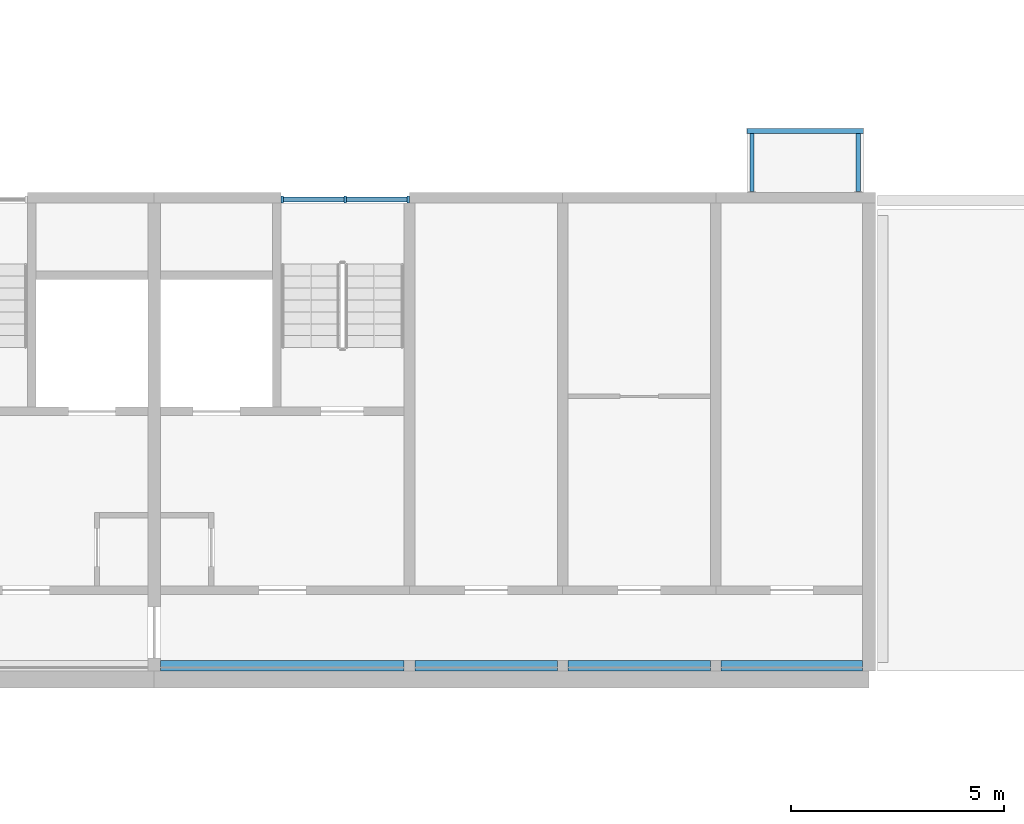
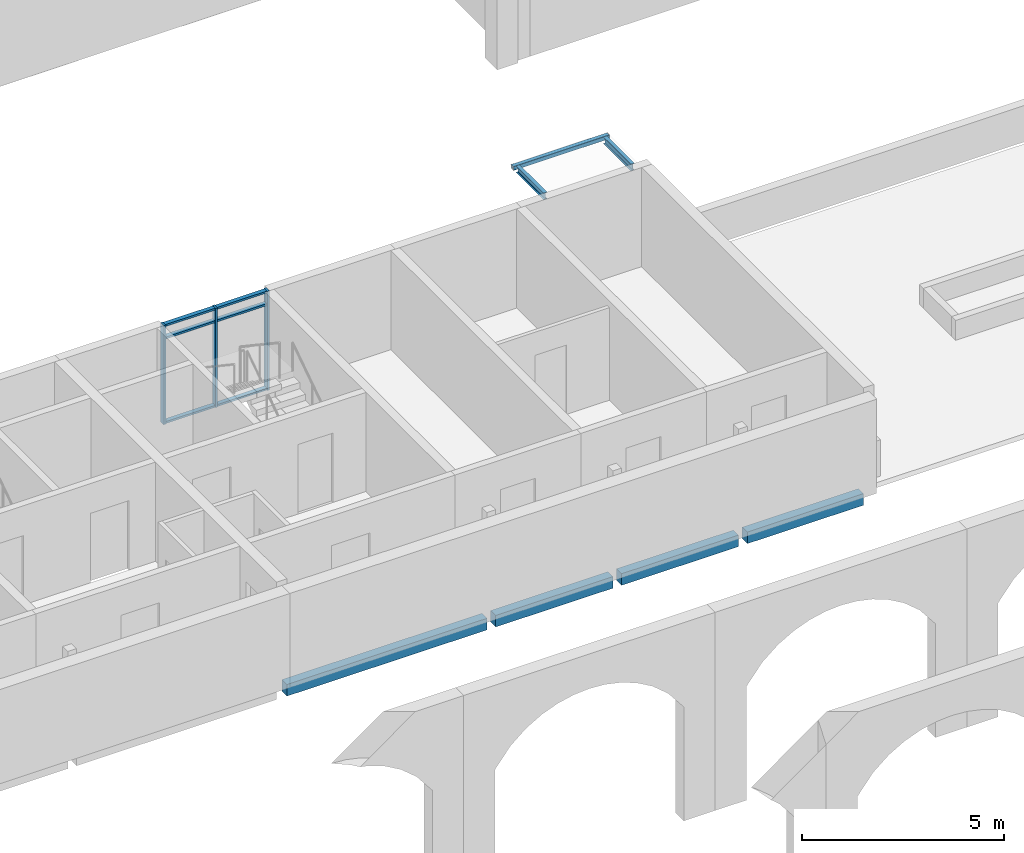
# One storey, part 14 of 122: 9 members, 7 beams, 1 element without a shape of its own.
"""IFC4 building model written with IfcOpenShell, lengths in metres."""

from ifc_helpers import new_model, si_unit, direction, frame, origin, origin_2d, place, context, subcontext, project, spatial, rectangle, hollow_rectangle, i_section, extrude, material, material_profile, profile_set, type_object, element, aggregate, save


model = new_model("IFC4")

# Units and contexts
model_context = context("Model", 3, precision=1e-05, world=origin(), true_north=direction((0.0, 1.0)))
body_context = subcontext(model_context, "Body", "Model", "MODEL_VIEW")
ifc_project = project(units=[si_unit("LENGTHUNIT", "METRE"), si_unit("AREAUNIT", "SQUARE_METRE"), si_unit("VOLUMEUNIT", "CUBIC_METRE"), si_unit("PLANEANGLEUNIT", "RADIAN"), si_unit("MASSUNIT", "GRAM", prefix="KILO")], contexts=[model_context])

# Site, building, storey
site_placement = place(None, origin())
site = spatial("IfcSite", under=ifc_project, at=site_placement, CompositionType="ELEMENT")
building_placement = place(site_placement, origin())
building = spatial("IfcBuilding", under=site, at=building_placement, Name="Ridgestep Commons", CompositionType="ELEMENT")
storey_placement = place(building_placement, frame((0.0, 0.0, 3.0)))
storey = spatial("IfcBuildingStorey", under=building, at=storey_placement, Name="L01", CompositionType="ELEMENT", Elevation=3.0)

# Beams
ifc_material_1 = material(Name="Precast concrete C40/50", Category="concrete")
ifc_material_profile_1 = material_profile(ifc_material_1, rectangle(XDim=0.25, YDim=0.35009765625, at=origin_2d()), Name="PC 250x350")
ifc_profile_set_1 = profile_set([ifc_material_profile_1], Name="Precast concrete C40/50")
beam_type_1 = type_object("IfcBeamType", Name="Loggia edge beam 250 x 350", PredefinedType="SPANDREL", material=ifc_profile_set_1)
beam_1_placement = place(storey_placement, frame((96.14990234375, 11.875, -0.375), z_axis=(1.0, 0.0, 0.0), x_axis=(0.0, 1.0, 0.0)))
element("IfcBeam", 1, at=beam_1_placement, inside=storey, type_object=beam_type_1, Name="Loggia edge beam A6C L01", PredefinedType="SPANDREL", context=body_context, shape_type="SweptSolid", body=[
    extrude(rectangle(XDim=0.25, YDim=0.35009765625, at=origin_2d()), origin(), (0.0, 0.0, 1.0), 5.72509765625),
])
beam_2_placement = place(storey_placement, frame((102.125, 11.875, -0.375), z_axis=(1.0, 0.0, 0.0), x_axis=(0.0, 1.0, 0.0)))
element("IfcBeam", 2, at=beam_2_placement, inside=storey, type_object=beam_type_1, Name="Loggia edge beam A6T3 L01", PredefinedType="SPANDREL", context=body_context, shape_type="SweptSolid", body=[
    extrude(rectangle(XDim=0.25, YDim=0.35009765625, at=origin_2d()), origin(), (0.0, 0.0, 1.0), 3.35009765625),
])
beam_3_placement = place(storey_placement, frame((105.72509765625, 11.875, -0.375), z_axis=(1.0, 0.0, 0.0), x_axis=(0.0, 1.0, 0.0)))
element("IfcBeam", 3, at=beam_3_placement, inside=storey, type_object=beam_type_1, Name="Loggia edge beam A6T2 L01", PredefinedType="SPANDREL", context=body_context, shape_type="SweptSolid", body=[
    extrude(rectangle(XDim=0.25, YDim=0.35009765625, at=origin_2d()), origin(), (0.0, 0.0, 1.0), 3.349853515625),
])
beam_4_placement = place(storey_placement, frame((109.324951171875, 11.875, -0.375), z_axis=(1.0, 0.0, 0.0), x_axis=(0.0, 1.0, 0.0)))
element("IfcBeam", 4, at=beam_4_placement, inside=storey, type_object=beam_type_1, Name="Loggia edge beam A6T1 L01", PredefinedType="SPANDREL", context=body_context, shape_type="SweptSolid", body=[
    extrude(rectangle(XDim=0.25, YDim=0.35009765625, at=origin_2d()), origin(), (0.0, 0.0, 1.0), 3.324951171875),
])

# Curtain wall, members
ifc_material_2 = material(Name="Aluminium 6063-T6 and glass", Category="aluminium")
curtain_wall_type = type_object("IfcCurtainWallType", Name="Curtain wall stair strip", PredefinedType="NOTDEFINED", material=ifc_material_2)
curtain_wall_placement = place(storey_placement, origin())
curtain_wall = element("IfcCurtainWall", 5, at=curtain_wall_placement, inside=storey, type_object=curtain_wall_type, Name="Curtain wall A6C level 01", PredefinedType="NOTDEFINED")
ifc_material_3 = material(Name="Aluminium 6063-T6", Category="aluminium")
ifc_material_profile_2 = material_profile(ifc_material_3, rectangle(XDim=0.159912109375, YDim=0.06005859375, at=origin_2d()), Name="Mullion 60 x 160")
ifc_profile_set_2 = profile_set([ifc_material_profile_2], Name="Aluminium 6063-T6")
member_type_1 = type_object("IfcMemberType", Name="Mullion 60 x 160", PredefinedType="MULLION", material=ifc_profile_set_2)
member_1_placement = place(storey_placement, frame((99.0048828125, 22.830078125, 0.0), z_axis=(0.0, 0.0, 1.0), x_axis=(0.0, 1.0, 0.0)))
member_1 = element("IfcMember", 6, at=member_1_placement, type_object=member_type_1, Name="CW1 mullion 1", PredefinedType="MULLION", context=body_context, shape_type="SweptSolid", body=[
    extrude(rectangle(XDim=0.159912109375, YDim=0.06005859375, at=origin_2d()), origin(), (0.0, 0.0, 1.0), 3.0),
])
member_2_placement = place(storey_placement, frame((100.487548828125, 22.830078125, 0.0), z_axis=(0.0, 0.0, 1.0), x_axis=(0.0, 1.0, 0.0)))
member_2 = element("IfcMember", 7, at=member_2_placement, type_object=member_type_1, Name="CW1 mullion 2", PredefinedType="MULLION", context=body_context, shape_type="SweptSolid", body=[
    extrude(rectangle(XDim=0.159912109375, YDim=0.06005859375, at=origin_2d()), origin(), (0.0, 0.0, 1.0), 3.0),
])
member_3_placement = place(storey_placement, frame((101.969970703125, 22.830078125, 0.0), z_axis=(0.0, 0.0, 1.0), x_axis=(0.0, 1.0, 0.0)))
member_3 = element("IfcMember", 8, at=member_3_placement, type_object=member_type_1, Name="CW1 mullion 3", PredefinedType="MULLION", context=body_context, shape_type="SweptSolid", body=[
    extrude(rectangle(XDim=0.159912109375, YDim=0.06005859375, at=origin_2d()), origin(), (0.0, 0.0, 1.0), 3.0),
])
ifc_material_4 = material(Name="Aluminium 6063-T6", Category="aluminium")
ifc_material_profile_3 = material_profile(ifc_material_4, rectangle(XDim=0.1201171875, YDim=0.06005859375, at=origin_2d()), Name="Transom 60 x 120")
ifc_profile_set_3 = profile_set([ifc_material_profile_3], Name="Aluminium 6063-T6")
member_type_2 = type_object("IfcMemberType", Name="Transom 60 x 120", PredefinedType="USERDEFINED", material=ifc_profile_set_3)
member_4_placement = place(storey_placement, frame((99.034912109375, 22.830078125, 0.030029296875), z_axis=(1.0, 0.0, 0.0), x_axis=(0.0, 1.0, 0.0)))
member_4 = element("IfcMember", 9, at=member_4_placement, type_object=member_type_2, Name="CW1 transom 1.1", ObjectType="TRANSOM", PredefinedType="USERDEFINED", context=body_context, shape_type="SweptSolid", body=[
    extrude(rectangle(XDim=0.1201171875, YDim=0.06005859375, at=origin_2d()), origin(), (0.0, 0.0, 1.0), 1.422607421875),
])
member_5_placement = place(storey_placement, frame((99.034912109375, 22.830078125, 2.590087890625), z_axis=(1.0, 0.0, 0.0), x_axis=(0.0, 1.0, 0.0)))
member_5 = element("IfcMember", 10, at=member_5_placement, type_object=member_type_2, Name="CW1 transom 1.2", ObjectType="TRANSOM", PredefinedType="USERDEFINED", context=body_context, shape_type="SweptSolid", body=[
    extrude(rectangle(XDim=0.1201171875, YDim=0.06005859375, at=origin_2d()), origin(), (0.0, 0.0, 1.0), 1.422607421875),
])
member_6_placement = place(storey_placement, frame((99.034912109375, 22.830078125, 2.969970703125), z_axis=(1.0, 0.0, 0.0), x_axis=(0.0, 1.0, 0.0)))
member_6 = element("IfcMember", 11, at=member_6_placement, type_object=member_type_2, Name="CW1 transom 1.3", ObjectType="TRANSOM", PredefinedType="USERDEFINED", context=body_context, shape_type="SweptSolid", body=[
    extrude(rectangle(XDim=0.1201171875, YDim=0.06005859375, at=origin_2d()), origin(), (0.0, 0.0, 1.0), 1.422607421875),
])
member_7_placement = place(storey_placement, frame((100.517578125, 22.830078125, 0.030029296875), z_axis=(1.0, 0.0, 0.0), x_axis=(0.0, 1.0, 0.0)))
member_7 = element("IfcMember", 12, at=member_7_placement, type_object=member_type_2, Name="CW1 transom 2.1", ObjectType="TRANSOM", PredefinedType="USERDEFINED", context=body_context, shape_type="SweptSolid", body=[
    extrude(rectangle(XDim=0.1201171875, YDim=0.06005859375, at=origin_2d()), origin(), (0.0, 0.0, 1.0), 1.42236328125),
])
member_8_placement = place(storey_placement, frame((100.517578125, 22.830078125, 2.590087890625), z_axis=(1.0, 0.0, 0.0), x_axis=(0.0, 1.0, 0.0)))
member_8 = element("IfcMember", 13, at=member_8_placement, type_object=member_type_2, Name="CW1 transom 2.2", ObjectType="TRANSOM", PredefinedType="USERDEFINED", context=body_context, shape_type="SweptSolid", body=[
    extrude(rectangle(XDim=0.1201171875, YDim=0.06005859375, at=origin_2d()), origin(), (0.0, 0.0, 1.0), 1.42236328125),
])
member_9_placement = place(storey_placement, frame((100.517578125, 22.830078125, 2.969970703125), z_axis=(1.0, 0.0, 0.0), x_axis=(0.0, 1.0, 0.0)))
member_9 = element("IfcMember", 14, at=member_9_placement, type_object=member_type_2, Name="CW1 transom 2.3", ObjectType="TRANSOM", PredefinedType="USERDEFINED", context=body_context, shape_type="SweptSolid", body=[
    extrude(rectangle(XDim=0.1201171875, YDim=0.06005859375, at=origin_2d()), origin(), (0.0, 0.0, 1.0), 1.42236328125),
])
aggregate(curtain_wall, [member_1, member_2, member_3, member_4, member_5, member_6, member_7, member_8, member_9])

# Beams
ifc_material_5 = material(Name="Weathering steel S355J2W", Category="steel")
ifc_material_profile_4 = material_profile(ifc_material_5, i_section(OverallWidth=0.101806640625, OverallDepth=0.203125, WebThickness=0.00537109375, FlangeThickness=0.00927734375, FilletRadius=0.007568359375, at=origin_2d()), Name="UB 203x102x23")
ifc_profile_set_4 = profile_set([ifc_material_profile_4], Name="Weathering steel S355J2W")
beam_type_2 = type_object("IfcBeamType", Name="Tray arm UB 203x102x23", PredefinedType="BEAM", material=ifc_profile_set_4)
for number, where, z_axis, x_axis, name in (
    (15, (110.050048828125, 23.014892578125, 2.888427734375), (0.0, 1.0, 0.0), (-1.0, 0.0, 0.0), "Tray arm A6T1-02.1"),
    (16, (112.550048828125, 23.014892578125, 2.888427734375), (0.0, 1.0, 0.0), (-1.0, 0.0, 0.0), "Tray arm A6T1-02.2"),
):
    element("IfcBeam", number, at=place(storey_placement, frame(where, z_axis=z_axis, x_axis=x_axis)), inside=storey, type_object=beam_type_2, Name=name, PredefinedType="BEAM", context=body_context, shape_type="SweptSolid", body=[
        extrude(i_section(OverallWidth=0.101806640625, OverallDepth=0.203125, WebThickness=0.00537109375, FlangeThickness=0.00927734375, FilletRadius=0.007568359375, at=origin_2d()), origin(), (0.0, 0.0, 1.0), 1.364990234375),
    ])
ifc_material_6 = material(Name="Weathering steel S355J2W", Category="steel")
ifc_material_profile_5 = material_profile(ifc_material_6, hollow_rectangle(XDim=0.1201171875, YDim=0.1201171875, WallThickness=0.00634765625, InnerFilletRadius=0.00634765625, OuterFilletRadius=0.009521484375, at=origin_2d()), Name="SHS 120x120x6.3")
ifc_profile_set_5 = profile_set([ifc_material_profile_5], Name="Weathering steel S355J2W")
beam_type_3 = type_object("IfcBeamType", Name="Tray edge member SHS 120x120x6.3", PredefinedType="BEAM", material=ifc_profile_set_5)
beam_5_placement = place(storey_placement, frame((109.929931640625, 24.43994140625, 2.929931640625), z_axis=(1.0, 0.0, 0.0), x_axis=(0.0, 0.0, 1.0)))
element("IfcBeam", 17, at=beam_5_placement, inside=storey, type_object=beam_type_3, Name="Tray edge member A6T1-02", PredefinedType="BEAM", context=body_context, shape_type="SweptSolid", body=[
    extrude(hollow_rectangle(XDim=0.1201171875, YDim=0.1201171875, WallThickness=0.00634765625, InnerFilletRadius=0.00634765625, OuterFilletRadius=0.009521484375, at=origin_2d()), origin(), (0.0, 0.0, 1.0), 2.739990234375),
])

save(model, "model.ifc")
